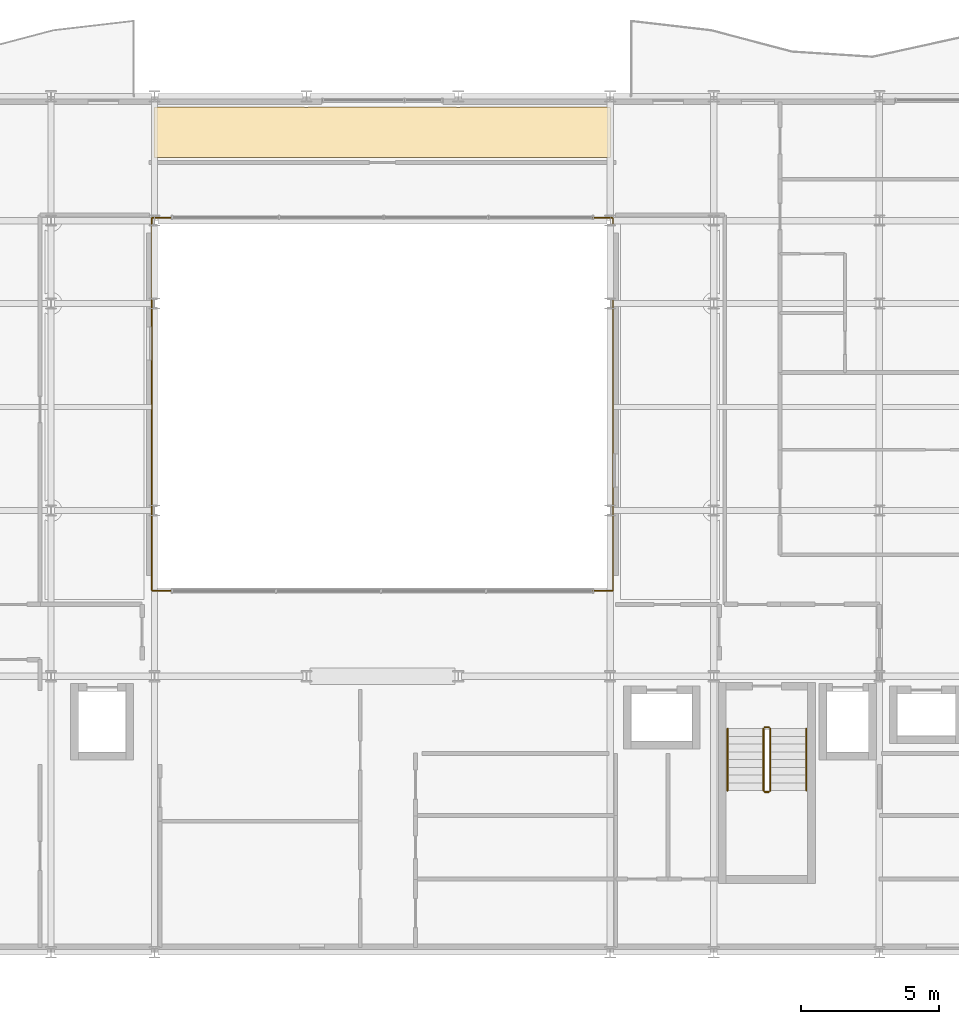
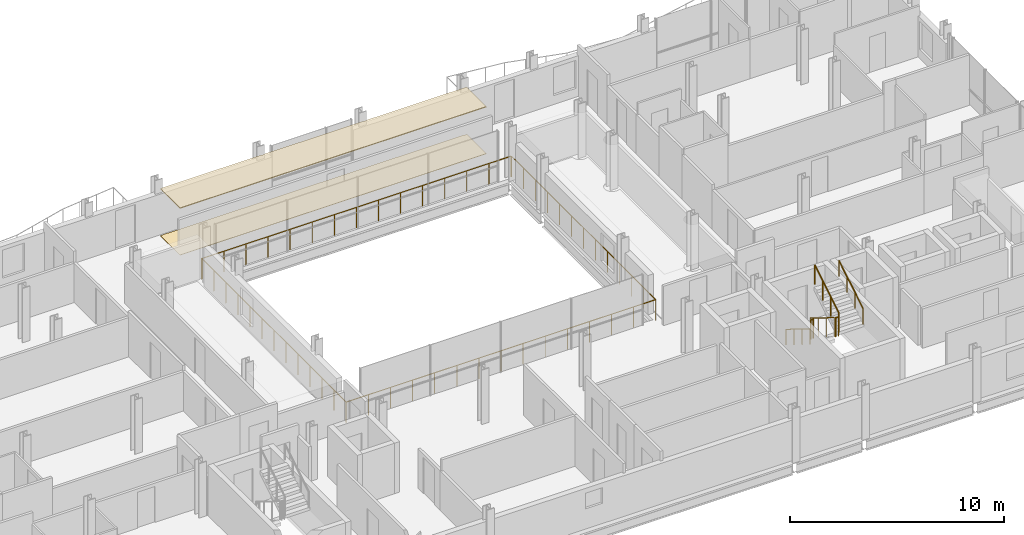
# One storey, part 40 of 41: 8 railings, 2 coverings.
"""IFC4 building model written with IfcOpenShell, lengths in metres."""

from ifc_helpers import new_model, si_unit, direction, frame, origin, origin_2d, place, context, subcontext, project, spatial, polyline, circle, outline, extrude, material, layer, layer_set, type_object, element, save


model = new_model("IFC4")

# Units and contexts
model_context = context("Model", 3, precision=1e-05, world=origin(), true_north=direction((0.0, 1.0)))
body_context = subcontext(model_context, "Body", "Model", "MODEL_VIEW")
ifc_project = project(units=[si_unit("LENGTHUNIT", "METRE"), si_unit("AREAUNIT", "SQUARE_METRE"), si_unit("VOLUMEUNIT", "CUBIC_METRE"), si_unit("PLANEANGLEUNIT", "RADIAN"), si_unit("MASSUNIT", "GRAM", prefix="KILO")], contexts=[model_context])

# Site, building, storey
site_placement = place(None, origin())
site = spatial("IfcSite", under=ifc_project, at=site_placement, CompositionType="ELEMENT")
building_placement = place(site_placement, origin())
building = spatial("IfcBuilding", under=site, at=building_placement, Name="Brevholm Reach", CompositionType="ELEMENT")
storey_placement = place(building_placement, frame((0.0, 0.0, 151.10009765625)))
storey = spatial("IfcBuildingStorey", under=building, at=storey_placement, Name="L45", CompositionType="ELEMENT", Elevation=151.10009765625)

# Coverings
ifc_material_1 = material(Name="Perforated Mineral-Fibre Class-A Acoustic Suspended Ceiling", Category="gypsum")
ifc_layer_1 = layer(ifc_material_1, 0.044921875)
ifc_layer_set_1 = layer_set([ifc_layer_1], Name="Perforated Mineral-Fibre Class-A Acoustic Suspended Ceiling")
covering_type_1 = type_object("IfcCoveringType", Name="COV-CLG-AC", PredefinedType="CEILING", material=ifc_layer_set_1)
covering_1_placement = place(storey_placement, frame((0.0, 0.0, 2.664794921875)))
element("IfcCovering", 1, at=covering_1_placement, inside=storey, type_object=covering_type_1, Name="L45 Suspended Ceiling L45-58", PredefinedType="CEILING", context=body_context, shape_type="SweptSolid", body=[
    extrude(outline(polyline([(27.126220703125, 30.6201171875), (27.1337890625, 30.6171875), (27.172119140625, 30.607666015625), (27.210693359375, 30.601806640625), (27.25, 30.60009765625), (27.289306640625, 30.601806640625), (27.327880859375, 30.607666015625), (27.3662109375, 30.6171875), (27.373779296875, 30.6201171875), (32.626220703125, 30.6201171875), (32.6337890625, 30.6171875), (32.672119140625, 30.607666015625), (32.710693359375, 30.601806640625), (32.75, 30.60009765625), (32.789306640625, 30.601806640625), (32.827880859375, 30.607666015625), (32.8662109375, 30.6171875), (32.873779296875, 30.6201171875), (38.126220703125, 30.6201171875), (38.1337890625, 30.6171875), (38.172119140625, 30.607666015625), (38.210693359375, 30.601806640625), (38.25, 30.60009765625), (38.26611328125, 30.600830078125), (38.26611328125, 28.783935546875), (21.73388671875, 28.783935546875), (21.73388671875, 30.600830078125), (21.75, 30.60009765625), (21.789306640625, 30.601806640625), (21.827880859375, 30.607666015625), (21.8662109375, 30.6171875), (21.873779296875, 30.6201171875), (27.126220703125, 30.6201171875)])), origin(), (0.0, 0.0, 1.0), 0.045166015625),
])
ifc_material_2 = material(Name="Engineered European Oak Acoustic Plank Flooring", Category="timber")
ifc_layer_2 = layer(ifc_material_2, 0.02197265625)
ifc_layer_set_2 = layer_set([ifc_layer_2], Name="Engineered European Oak Acoustic Plank Flooring")
covering_type_2 = type_object("IfcCoveringType", Name="COV-FLR-OAK", PredefinedType="FLOORING", material=ifc_layer_set_2)
covering_2_placement = place(storey_placement, origin())
element("IfcCovering", 2, at=covering_2_placement, inside=storey, type_object=covering_type_2, Name="L45 Floor Finish L45-58", PredefinedType="FLOORING", context=body_context, shape_type="SweptSolid", body=[
    extrude(outline(polyline([(27.126220703125, 30.6201171875), (27.1337890625, 30.6171875), (27.172119140625, 30.607666015625), (27.210693359375, 30.601806640625), (27.25, 30.60009765625), (27.289306640625, 30.601806640625), (27.327880859375, 30.607666015625), (27.3662109375, 30.6171875), (27.373779296875, 30.6201171875), (32.626220703125, 30.6201171875), (32.6337890625, 30.6171875), (32.672119140625, 30.607666015625), (32.710693359375, 30.601806640625), (32.75, 30.60009765625), (32.789306640625, 30.601806640625), (32.827880859375, 30.607666015625), (32.8662109375, 30.6171875), (32.873779296875, 30.6201171875), (38.126220703125, 30.6201171875), (38.1337890625, 30.6171875), (38.172119140625, 30.607666015625), (38.210693359375, 30.601806640625), (38.25, 30.60009765625), (38.26611328125, 30.600830078125), (38.26611328125, 28.783935546875), (21.73388671875, 28.783935546875), (21.73388671875, 30.600830078125), (21.75, 30.60009765625), (21.789306640625, 30.601806640625), (21.827880859375, 30.607666015625), (21.8662109375, 30.6171875), (21.873779296875, 30.6201171875), (27.126220703125, 30.6201171875)])), origin(), (0.0, 0.0, 1.0), 0.02197265625),
])

# Railings
ifc_material_3 = material(Name="Brushed Stainless Steel EN 1.4401 Continuous Handrail", Category="steel")
railing_type_1 = type_object("IfcRailingType", Name="RAL-HND-950", PredefinedType="HANDRAIL", material=ifc_material_3)
railing_1_placement = place(storey_placement, frame((42.5, 8.10009765625, 0.172119140625)))
element("IfcRailing", 3, at=railing_1_placement, inside=storey, type_object=railing_type_1, Name="L45 ST-2 stair handrail 1", PredefinedType="HANDRAIL", context=body_context, shape_type="SweptSolid", body=[
    extrude(circle(Radius=0.02392578125, at=origin_2d()), frame((0.0, 0.0, 0.8857421875), z_axis=(0.0, -0.85178898068, 0.523885037382), x_axis=(1.0, 0.0, 0.0)), (0.0, 0.0, 1.0), 2.629638671875),
    extrude(circle(Radius=0.02099609375, at=origin_2d()), origin(), (0.0, 0.0, 1.0), 0.86181640625),
    extrude(circle(Radius=0.02099609375, at=origin_2d()), frame((0.0, -0.74658203125, 0.459228515625)), (0.0, 0.0, 1.0), 0.86181640625),
    extrude(circle(Radius=0.02099609375, at=origin_2d()), frame((0.0, -1.493408203125, 0.91845703125)), (0.0, 0.0, 1.0), 0.86181640625),
    extrude(circle(Radius=0.02099609375, at=origin_2d()), frame((0.0, -2.239990234375, 1.377685546875)), (0.0, 0.0, 1.0), 0.86181640625),
])
railing_2_placement = place(storey_placement, frame((45.35009765625, 5.860107421875, 1.72216796875)))
element("IfcRailing", 4, at=railing_2_placement, inside=storey, type_object=railing_type_1, Name="L45 ST-2 stair handrail 2", PredefinedType="HANDRAIL", context=body_context, shape_type="SweptSolid", body=[
    extrude(circle(Radius=0.02392578125, at=origin_2d()), frame((0.0, 0.0, 0.8857421875), z_axis=(0.0, 0.85178898068, 0.523885037382), x_axis=(-1.0, 0.0, 0.0)), (0.0, 0.0, 1.0), 2.629638671875),
    extrude(circle(Radius=0.02099609375, at=origin_2d()), origin(), (0.0, 0.0, 1.0), 0.86181640625),
    extrude(circle(Radius=0.02099609375, at=origin_2d()), frame((0.0, 0.74658203125, 0.459228515625)), (0.0, 0.0, 1.0), 0.86181640625),
    extrude(circle(Radius=0.02099609375, at=origin_2d()), frame((0.0, 1.493408203125, 0.91845703125)), (0.0, 0.0, 1.0), 0.86181640625),
    extrude(circle(Radius=0.02099609375, at=origin_2d()), frame((0.0, 2.239990234375, 1.377685546875)), (0.0, 0.0, 1.0), 0.86181640625),
])
ifc_material_4 = material(Name="Painted Tubular Galvanised Steel S275JR Stair Guard", Category="steel")
railing_type_2 = type_object("IfcRailingType", Name="RAL-STG-1120", PredefinedType="BALUSTRADE", material=ifc_material_4)
railing_3_placement = place(storey_placement, frame((43.800048828125, 8.10009765625, 0.172119140625)))
element("IfcRailing", 5, at=railing_3_placement, inside=storey, type_object=railing_type_2, Name="L45 ST-2 stair guard 1", PredefinedType="BALUSTRADE", context=body_context, shape_type="SweptSolid", body=[
    extrude(circle(Radius=0.02392578125, at=origin_2d()), frame((0.0, 0.0, 1.076171875), z_axis=(0.0, -0.85178898068, 0.523885037382), x_axis=(1.0, 0.0, 0.0)), (0.0, 0.0, 1.0), 2.629638671875),
    extrude(circle(Radius=0.02099609375, at=origin_2d()), origin(), (0.0, 0.0, 1.0), 1.052001953125),
    extrude(circle(Radius=0.02099609375, at=origin_2d()), frame((0.0, -0.74658203125, 0.459228515625)), (0.0, 0.0, 1.0), 1.052001953125),
    extrude(circle(Radius=0.02099609375, at=origin_2d()), frame((0.0, -1.493408203125, 0.91845703125)), (0.0, 0.0, 1.0), 1.052001953125),
    extrude(circle(Radius=0.02099609375, at=origin_2d()), frame((0.0, -2.239990234375, 1.377685546875)), (0.0, 0.0, 1.0), 1.052001953125),
])
railing_4_placement = place(storey_placement, frame((43.85009765625, 5.81005859375, 1.5498046875)))
element("IfcRailing", 6, at=railing_4_placement, inside=storey, type_object=railing_type_2, Name="L45 ST-2 stair guard 2", PredefinedType="BALUSTRADE", context=body_context, shape_type="SweptSolid", body=[
    extrude(circle(Radius=0.02392578125, at=origin_2d()), frame((0.0, 0.0, 1.076171875), z_axis=(1.0, 0.0, 0.0), x_axis=(0.0, 1.0, 0.0)), (0.0, 0.0, 1.0), 0.14990234375),
    extrude(circle(Radius=0.02099609375, at=origin_2d()), origin(), (0.0, 0.0, 1.0), 1.052001953125),
    extrude(circle(Radius=0.02099609375, at=origin_2d()), frame((0.14990234375, 0.0, 0.0)), (0.0, 0.0, 1.0), 1.052001953125),
])
railing_5_placement = place(storey_placement, frame((44.050048828125, 5.860107421875, 1.72216796875)))
element("IfcRailing", 7, at=railing_5_placement, inside=storey, type_object=railing_type_2, Name="L45 ST-2 stair guard 3", PredefinedType="BALUSTRADE", context=body_context, shape_type="SweptSolid", body=[
    extrude(circle(Radius=0.02392578125, at=origin_2d()), frame((0.0, 0.0, 1.076171875), z_axis=(0.0, 0.85178898068, 0.523885037382), x_axis=(-1.0, 0.0, 0.0)), (0.0, 0.0, 1.0), 2.629638671875),
    extrude(circle(Radius=0.02099609375, at=origin_2d()), origin(), (0.0, 0.0, 1.0), 1.052001953125),
    extrude(circle(Radius=0.02099609375, at=origin_2d()), frame((0.0, 0.74658203125, 0.459228515625)), (0.0, 0.0, 1.0), 1.052001953125),
    extrude(circle(Radius=0.02099609375, at=origin_2d()), frame((0.0, 1.493408203125, 0.91845703125)), (0.0, 0.0, 1.0), 1.052001953125),
    extrude(circle(Radius=0.02099609375, at=origin_2d()), frame((0.0, 2.239990234375, 1.377685546875)), (0.0, 0.0, 1.0), 1.052001953125),
])
railing_6_placement = place(storey_placement, frame((43.85009765625, 8.14990234375, 0.0)))
element("IfcRailing", 8, at=railing_6_placement, inside=storey, type_object=railing_type_2, Name="L45 ST-2 stair guard 4", PredefinedType="BALUSTRADE", context=body_context, shape_type="SweptSolid", body=[
    extrude(circle(Radius=0.02392578125, at=origin_2d()), frame((0.0, 0.0, 1.076171875), z_axis=(1.0, 0.0, 0.0), x_axis=(0.0, 1.0, 0.0)), (0.0, 0.0, 1.0), 0.14990234375),
    extrude(circle(Radius=0.02099609375, at=origin_2d()), origin(), (0.0, 0.0, 1.0), 1.052001953125),
    extrude(circle(Radius=0.02099609375, at=origin_2d()), frame((0.14990234375, 0.0, 0.0)), (0.0, 0.0, 1.0), 1.052001953125),
])
ifc_material_5 = material(Name="Brushed Stainless Steel EN 1.4401 and Laminated Glass", Category="steel")
railing_type_3 = type_object("IfcRailingType", Name="RAL-TERR-1200", PredefinedType="BALUSTRADE", material=ifc_material_5)
railing_7_placement = place(storey_placement, frame((21.64990234375, 13.10009765625, 0.0)))
element("IfcRailing", 9, at=railing_7_placement, inside=storey, type_object=railing_type_3, Name="L45 Guard Balustrade RAL-L45-AT-VOID-SW", PredefinedType="BALUSTRADE", context=body_context, shape_type="SweptSolid", body=[
    extrude(circle(Radius=0.02392578125, at=origin_2d()), frame((0.0, 0.0, 1.17578125), z_axis=(1.0, 0.0, 0.0), x_axis=(0.0, 1.0, 0.0)), (0.0, 0.0, 1.0), 16.7001953125),
    extrude(circle(Radius=0.02392578125, at=origin_2d()), frame((16.7001953125, 0.0, 1.17578125), z_axis=(0.0, 1.0, 0.0), x_axis=(-1.0, 0.0, 0.0)), (0.0, 0.0, 1.0), 13.47998046875),
    extrude(circle(Radius=0.02099609375, at=origin_2d()), origin(), (0.0, 0.0, 1.0), 1.15185546875),
    extrude(circle(Radius=0.02099609375, at=origin_2d()), frame((1.19287109375, 0.0, 0.0)), (0.0, 0.0, 1.0), 1.15185546875),
    extrude(circle(Radius=0.02099609375, at=origin_2d()), frame((2.3857421875, 0.0, 0.0)), (0.0, 0.0, 1.0), 1.15185546875),
    extrude(circle(Radius=0.02099609375, at=origin_2d()), frame((3.57861328125, 0.0, 0.0)), (0.0, 0.0, 1.0), 1.15185546875),
    extrude(circle(Radius=0.02099609375, at=origin_2d()), frame((4.771484375, 0.0, 0.0)), (0.0, 0.0, 1.0), 1.15185546875),
    extrude(circle(Radius=0.02099609375, at=origin_2d()), frame((5.96435546875, 0.0, 0.0)), (0.0, 0.0, 1.0), 1.15185546875),
    extrude(circle(Radius=0.02099609375, at=origin_2d()), frame((7.1572265625, 0.0, 0.0)), (0.0, 0.0, 1.0), 1.15185546875),
    extrude(circle(Radius=0.02099609375, at=origin_2d()), frame((8.35009765625, 0.0, 0.0)), (0.0, 0.0, 1.0), 1.15185546875),
    extrude(circle(Radius=0.02099609375, at=origin_2d()), frame((9.54296875, 0.0, 0.0)), (0.0, 0.0, 1.0), 1.15185546875),
    extrude(circle(Radius=0.02099609375, at=origin_2d()), frame((10.73583984375, 0.0, 0.0)), (0.0, 0.0, 1.0), 1.15185546875),
    extrude(circle(Radius=0.02099609375, at=origin_2d()), frame((11.9287109375, 0.0, 0.0)), (0.0, 0.0, 1.0), 1.15185546875),
    extrude(circle(Radius=0.02099609375, at=origin_2d()), frame((13.12158203125, 0.0, 0.0)), (0.0, 0.0, 1.0), 1.15185546875),
    extrude(circle(Radius=0.02099609375, at=origin_2d()), frame((14.314453125, 0.0, 0.0)), (0.0, 0.0, 1.0), 1.15185546875),
    extrude(circle(Radius=0.02099609375, at=origin_2d()), frame((15.50732421875, 0.0, 0.0)), (0.0, 0.0, 1.0), 1.15185546875),
    extrude(circle(Radius=0.02099609375, at=origin_2d()), frame((16.7001953125, 0.0, 0.0)), (0.0, 0.0, 1.0), 1.15185546875),
    extrude(circle(Radius=0.02099609375, at=origin_2d()), frame((16.7001953125, 1.123291015625, 0.0)), (0.0, 0.0, 1.0), 1.15185546875),
    extrude(circle(Radius=0.02099609375, at=origin_2d()), frame((16.7001953125, 2.24658203125, 0.0)), (0.0, 0.0, 1.0), 1.15185546875),
    extrude(circle(Radius=0.02099609375, at=origin_2d()), frame((16.7001953125, 3.3701171875, 0.0)), (0.0, 0.0, 1.0), 1.15185546875),
    extrude(circle(Radius=0.02099609375, at=origin_2d()), frame((16.7001953125, 4.493408203125, 0.0)), (0.0, 0.0, 1.0), 1.15185546875),
    extrude(circle(Radius=0.02099609375, at=origin_2d()), frame((16.7001953125, 5.61669921875, 0.0)), (0.0, 0.0, 1.0), 1.15185546875),
    extrude(circle(Radius=0.02099609375, at=origin_2d()), frame((16.7001953125, 6.739990234375, 0.0)), (0.0, 0.0, 1.0), 1.15185546875),
    extrude(circle(Radius=0.02099609375, at=origin_2d()), frame((16.7001953125, 7.86328125, 0.0)), (0.0, 0.0, 1.0), 1.15185546875),
    extrude(circle(Radius=0.02099609375, at=origin_2d()), frame((16.7001953125, 8.986572265625, 0.0)), (0.0, 0.0, 1.0), 1.15185546875),
    extrude(circle(Radius=0.02099609375, at=origin_2d()), frame((16.7001953125, 10.10986328125, 0.0)), (0.0, 0.0, 1.0), 1.15185546875),
    extrude(circle(Radius=0.02099609375, at=origin_2d()), frame((16.7001953125, 11.2333984375, 0.0)), (0.0, 0.0, 1.0), 1.15185546875),
    extrude(circle(Radius=0.02099609375, at=origin_2d()), frame((16.7001953125, 12.356689453125, 0.0)), (0.0, 0.0, 1.0), 1.15185546875),
    extrude(circle(Radius=0.02099609375, at=origin_2d()), frame((16.7001953125, 13.47998046875, 0.0)), (0.0, 0.0, 1.0), 1.15185546875),
])
railing_8_placement = place(storey_placement, frame((38.330078125, 26.60009765625, 0.0)))
element("IfcRailing", 10, at=railing_8_placement, inside=storey, type_object=railing_type_3, Name="L45 Guard Balustrade RAL-L45-AT-VOID-NE", PredefinedType="BALUSTRADE", context=body_context, shape_type="SweptSolid", body=[
    extrude(circle(Radius=0.02392578125, at=origin_2d()), frame((0.0, 0.0, 1.17578125), z_axis=(-1.0, 0.0, 0.0), x_axis=(0.0, -1.0, 0.0)), (0.0, 0.0, 1.0), 16.68017578125),
    extrude(circle(Radius=0.02392578125, at=origin_2d()), frame((-16.68017578125, 0.0, 1.17578125), z_axis=(0.0, -1.0, 0.0), x_axis=(1.0, 0.0, 0.0)), (0.0, 0.0, 1.0), 13.47998046875),
    extrude(circle(Radius=0.02099609375, at=origin_2d()), origin(), (0.0, 0.0, 1.0), 1.15185546875),
    extrude(circle(Radius=0.02099609375, at=origin_2d()), frame((-1.19140625, 0.0, 0.0)), (0.0, 0.0, 1.0), 1.15185546875),
    extrude(circle(Radius=0.02099609375, at=origin_2d()), frame((-2.3828125, 0.0, 0.0)), (0.0, 0.0, 1.0), 1.15185546875),
    extrude(circle(Radius=0.02099609375, at=origin_2d()), frame((-3.57421875, 0.0, 0.0)), (0.0, 0.0, 1.0), 1.15185546875),
    extrude(circle(Radius=0.02099609375, at=origin_2d()), frame((-4.765869140625, 0.0, 0.0)), (0.0, 0.0, 1.0), 1.15185546875),
    extrude(circle(Radius=0.02099609375, at=origin_2d()), frame((-5.957275390625, 0.0, 0.0)), (0.0, 0.0, 1.0), 1.15185546875),
    extrude(circle(Radius=0.02099609375, at=origin_2d()), frame((-7.148681640625, 0.0, 0.0)), (0.0, 0.0, 1.0), 1.15185546875),
    extrude(circle(Radius=0.02099609375, at=origin_2d()), frame((-8.340087890625, 0.0, 0.0)), (0.0, 0.0, 1.0), 1.15185546875),
    extrude(circle(Radius=0.02099609375, at=origin_2d()), frame((-9.531494140625, 0.0, 0.0)), (0.0, 0.0, 1.0), 1.15185546875),
    extrude(circle(Radius=0.02099609375, at=origin_2d()), frame((-10.722900390625, 0.0, 0.0)), (0.0, 0.0, 1.0), 1.15185546875),
    extrude(circle(Radius=0.02099609375, at=origin_2d()), frame((-11.914306640625, 0.0, 0.0)), (0.0, 0.0, 1.0), 1.15185546875),
    extrude(circle(Radius=0.02099609375, at=origin_2d()), frame((-13.10595703125, 0.0, 0.0)), (0.0, 0.0, 1.0), 1.15185546875),
    extrude(circle(Radius=0.02099609375, at=origin_2d()), frame((-14.29736328125, 0.0, 0.0)), (0.0, 0.0, 1.0), 1.15185546875),
    extrude(circle(Radius=0.02099609375, at=origin_2d()), frame((-15.48876953125, 0.0, 0.0)), (0.0, 0.0, 1.0), 1.15185546875),
    extrude(circle(Radius=0.02099609375, at=origin_2d()), frame((-16.68017578125, 0.0, 0.0)), (0.0, 0.0, 1.0), 1.15185546875),
    extrude(circle(Radius=0.02099609375, at=origin_2d()), frame((-16.68017578125, -1.123291015625, 0.0)), (0.0, 0.0, 1.0), 1.15185546875),
    extrude(circle(Radius=0.02099609375, at=origin_2d()), frame((-16.68017578125, -2.24658203125, 0.0)), (0.0, 0.0, 1.0), 1.15185546875),
    extrude(circle(Radius=0.02099609375, at=origin_2d()), frame((-16.68017578125, -3.3701171875, 0.0)), (0.0, 0.0, 1.0), 1.15185546875),
    extrude(circle(Radius=0.02099609375, at=origin_2d()), frame((-16.68017578125, -4.493408203125, 0.0)), (0.0, 0.0, 1.0), 1.15185546875),
    extrude(circle(Radius=0.02099609375, at=origin_2d()), frame((-16.68017578125, -5.61669921875, 0.0)), (0.0, 0.0, 1.0), 1.15185546875),
    extrude(circle(Radius=0.02099609375, at=origin_2d()), frame((-16.68017578125, -6.739990234375, 0.0)), (0.0, 0.0, 1.0), 1.15185546875),
    extrude(circle(Radius=0.02099609375, at=origin_2d()), frame((-16.68017578125, -7.86328125, 0.0)), (0.0, 0.0, 1.0), 1.15185546875),
    extrude(circle(Radius=0.02099609375, at=origin_2d()), frame((-16.68017578125, -8.986572265625, 0.0)), (0.0, 0.0, 1.0), 1.15185546875),
    extrude(circle(Radius=0.02099609375, at=origin_2d()), frame((-16.68017578125, -10.10986328125, 0.0)), (0.0, 0.0, 1.0), 1.15185546875),
    extrude(circle(Radius=0.02099609375, at=origin_2d()), frame((-16.68017578125, -11.2333984375, 0.0)), (0.0, 0.0, 1.0), 1.15185546875),
    extrude(circle(Radius=0.02099609375, at=origin_2d()), frame((-16.68017578125, -12.356689453125, 0.0)), (0.0, 0.0, 1.0), 1.15185546875),
    extrude(circle(Radius=0.02099609375, at=origin_2d()), frame((-16.68017578125, -13.47998046875, 0.0)), (0.0, 0.0, 1.0), 1.15185546875),
])

save(model, "model.ifc")
